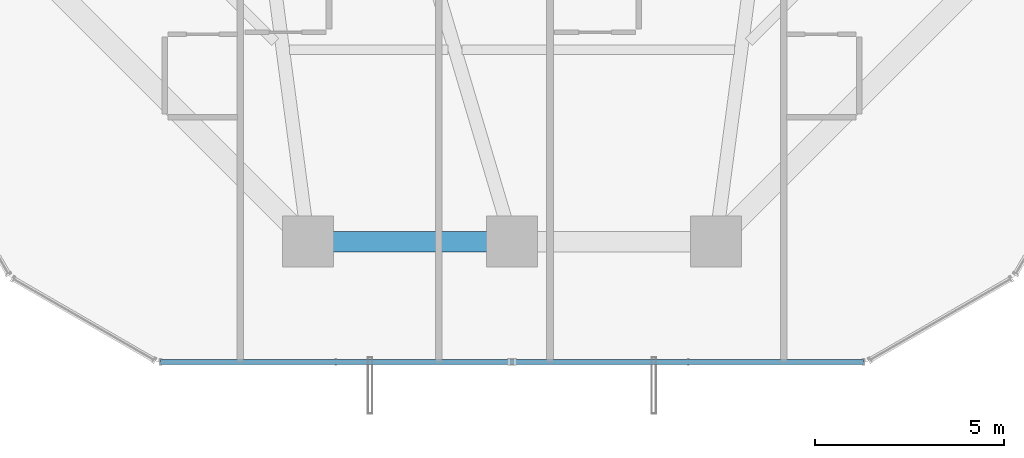
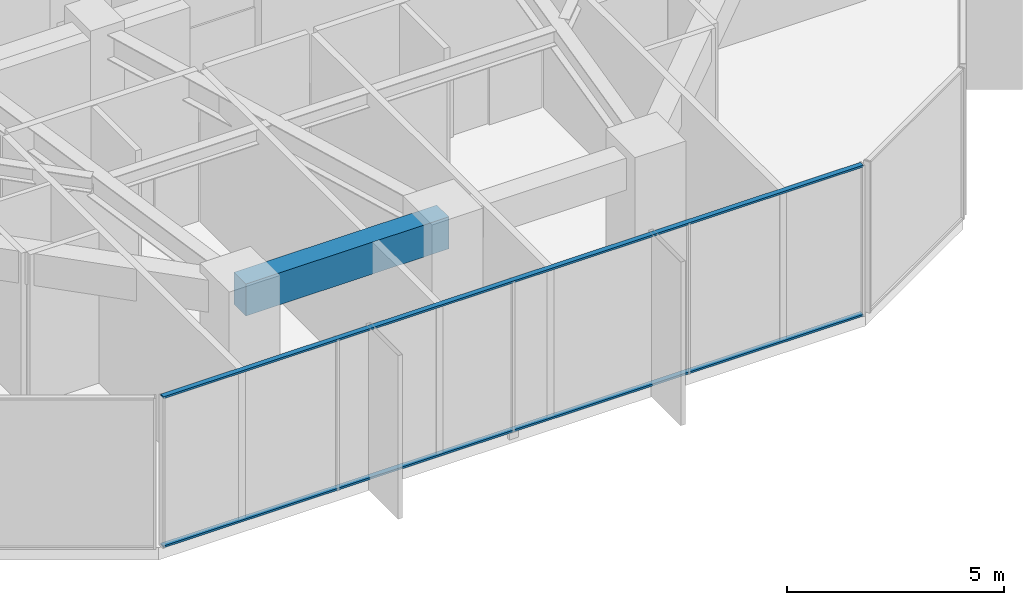
# One storey, part 7 of 39: 2 members, 1 beam, 1 element without a shape of its own.
"""IFC4 building model written with IfcOpenShell, lengths in metres."""

from ifc_helpers import new_model, si_unit, direction, frame, origin, origin_2d, place, context, subcontext, project, spatial, rectangle, hollow_rectangle, extrude, source, transform, mapped, material, layer, layer_set, material_profile, profile_set, type_object, element, aggregate, save


model = new_model("IFC4")

# Units and contexts
model_context = context("Model", 3, precision=1e-05, world=origin(), true_north=direction((0.0, 1.0)))
body_context = subcontext(model_context, "Body", "Model", "MODEL_VIEW")
ifc_project = project(units=[si_unit("LENGTHUNIT", "METRE"), si_unit("AREAUNIT", "SQUARE_METRE"), si_unit("VOLUMEUNIT", "CUBIC_METRE"), si_unit("PLANEANGLEUNIT", "RADIAN"), si_unit("MASSUNIT", "GRAM", prefix="KILO")], contexts=[model_context])

# Site, building, storey
site_placement = place(None, origin())
site = spatial("IfcSite", under=ifc_project, at=site_placement, CompositionType="ELEMENT")
building_placement = place(site_placement, origin())
building = spatial("IfcBuilding", under=site, at=building_placement, Name="Veraguas Prism Commons", CompositionType="ELEMENT")
storey_placement = place(building_placement, frame((0.0, 0.0, 22.800048828125)))
storey = spatial("IfcBuildingStorey", under=building, at=storey_placement, Name="L05", CompositionType="ELEMENT", Elevation=22.800048828125)

# Beam
ifc_material_1 = material(Name="Concrete C50/60", Category="concrete")
ifc_material_profile_1 = material_profile(ifc_material_1, rectangle(XDim=0.550048828125, YDim=0.89990234375, at=origin_2d()), Name="RC550X900")
ifc_profile_set_1 = profile_set([ifc_material_profile_1], Name="Concrete C50/60")
beam_type = type_object("IfcBeamType", Name="Perimeter Spandrel Lower RC 550x900", PredefinedType="SPANDREL", material=ifc_profile_set_1)
beam_placement = place(storey_placement, frame((18.60009765625, 6.39990234375, 3.800048828125), z_axis=(1.0, 0.0, 0.0), x_axis=(0.0, 1.0, 0.0)))
element("IfcBeam", 1, at=beam_placement, inside=storey, type_object=beam_type, Name="Perimeter Spandrel Beam L05-SP10", PredefinedType="SPANDREL", context=body_context, shape_type="SweptSolid", body=[
    extrude(rectangle(XDim=0.550048828125, YDim=0.89990234375, at=origin_2d()), origin(), (0.0, 0.0, 1.0), 5.39990234375),
])

# Curtain wall, members
ifc_material_2 = material(Name="Anodised aluminium EN AW-6063 T6", Category="aluminium")
ifc_layer = layer(ifc_material_2, 0.169921875, Name="Unitised Flush Curtain Wall Zone 1", Category="aluminium")
ifc_layer_set = layer_set([ifc_layer], Name="Anodised aluminium EN AW-6063 T6")
curtain_wall_type = type_object("IfcCurtainWallType", Name="Unitised Flush Curtain Wall Zone 1", PredefinedType="NOTDEFINED", material=ifc_layer_set)
curtain_wall_placement = place(storey_placement, origin())
curtain_wall = element("IfcCurtainWall", 2, at=curtain_wall_placement, inside=storey, type_object=curtain_wall_type, Name="Tower Facade Curtain Wall L05-F5", PredefinedType="NOTDEFINED")
ifc_material_profile_2 = material_profile(ifc_material_2, hollow_rectangle(XDim=0.054931640625, YDim=0.135009765625, WallThickness=0.0029296875, at=origin_2d()), Name="AL55X135X3")
ifc_profile_set_2 = profile_set([ifc_material_profile_2], Name="Anodised aluminium EN AW-6063 T6")
member_type = type_object("IfcMemberType", Name="Curtain Wall Transom Standard AL 55x135x3", PredefinedType="USERDEFINED", material=ifc_profile_set_2)
shared_shape = source(origin(), body_context, "Body", "SweptSolid", [
    extrude(hollow_rectangle(XDim=0.054931640625, YDim=0.135009765625, WallThickness=0.0029296875, at=origin_2d()), origin(), (0.0, 0.0, 1.0), 18.6240234375),
])
member_1_placement = place(storey_placement, frame((14.68798828125, 3.21533203125, 0.02734375), z_axis=(1.0, 0.0, 0.0), x_axis=(0.0, 0.0, 1.0)))
member_1 = element("IfcMember", 3, at=member_1_placement, type_object=member_type, Name="CW-Z1 Transom 1", ObjectType="TRANSOM", PredefinedType="USERDEFINED", context=body_context, shape_type="MappedRepresentation", body=[
    mapped(shared_shape, transform((0.0, 0.0, 0.0), scale=1.0)),
])
member_2_placement = place(storey_placement, frame((14.68798828125, 3.21533203125, 4.222412109375), z_axis=(1.0, 0.0, 0.0), x_axis=(0.0, 0.0, 1.0)))
member_2 = element("IfcMember", 4, at=member_2_placement, type_object=member_type, Name="CW-Z1 Transom 2", ObjectType="TRANSOM", PredefinedType="USERDEFINED", context=body_context, shape_type="MappedRepresentation", body=[
    mapped(shared_shape, transform((0.0, 0.0, 0.0), scale=1.0)),
])
aggregate(curtain_wall, [member_1, member_2])

save(model, "model.ifc")
